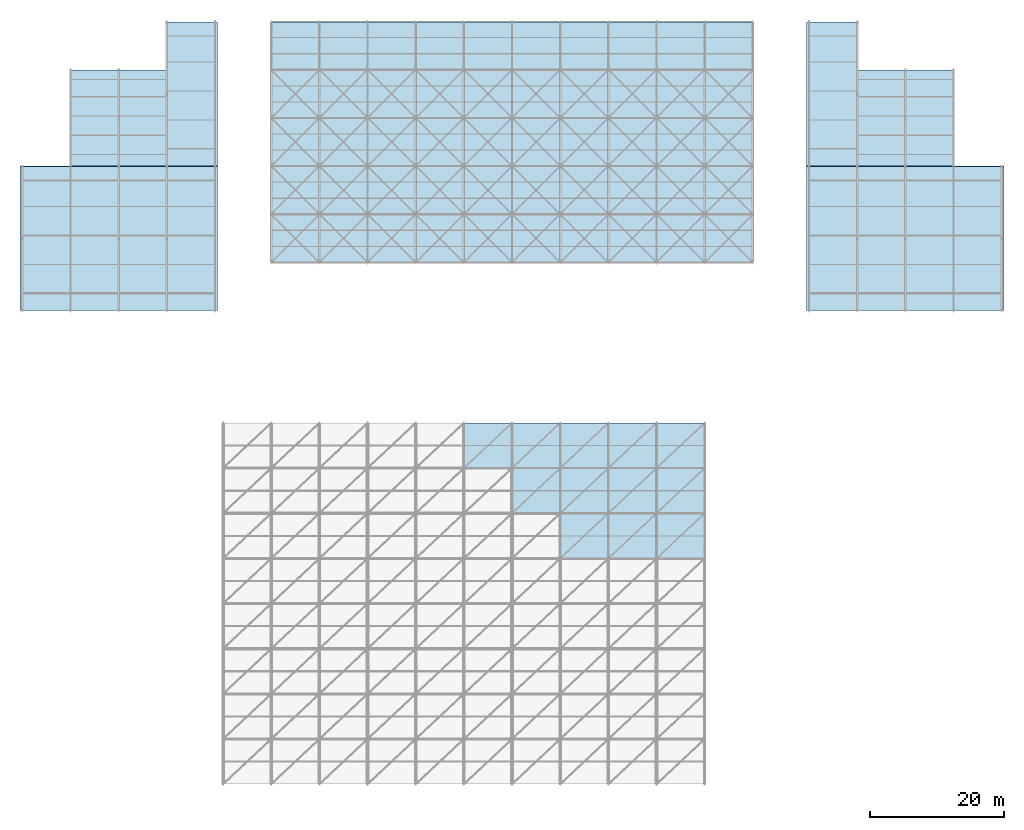
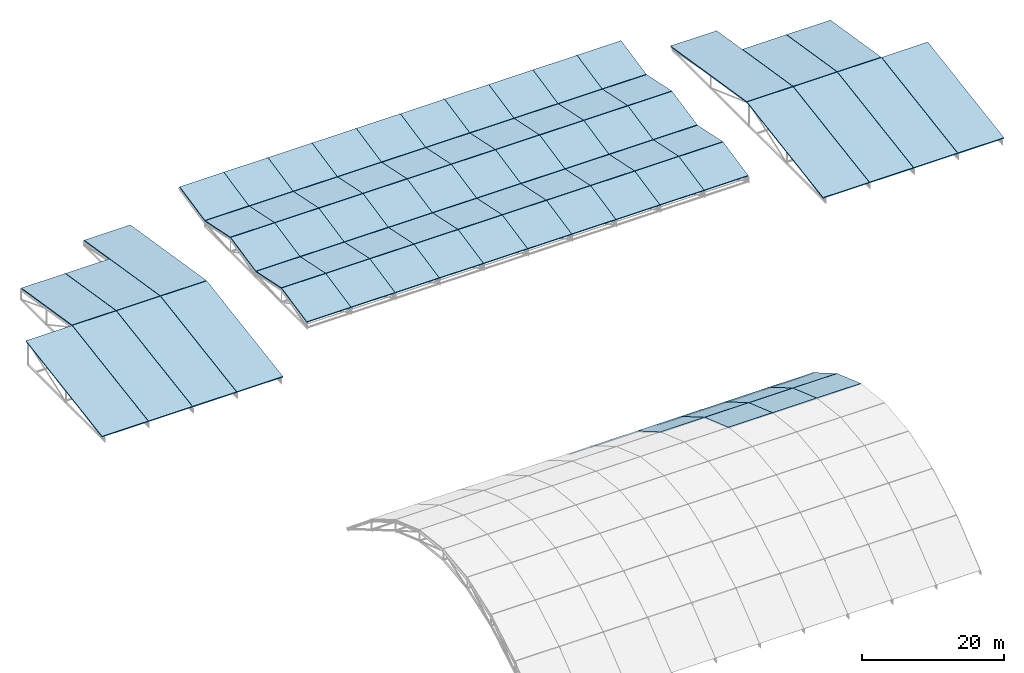
# One storey, part 58 of 72: 76 slabs.
"""IFC4 building model written with IfcOpenShell, lengths in metres."""

from ifc_helpers import new_model, si_unit, direction, frame, origin, place, context, subcontext, project, spatial, polyline, outline, extrude, material, layer, layer_set, type_object, element, save


model = new_model("IFC4")

# Units and contexts
model_context = context("Model", 3, precision=1e-05, world=origin(), true_north=direction((0.0, 1.0)))
body_context = subcontext(model_context, "Body", "Model", "MODEL_VIEW")
ifc_project = project(units=[si_unit("LENGTHUNIT", "METRE"), si_unit("AREAUNIT", "SQUARE_METRE"), si_unit("VOLUMEUNIT", "CUBIC_METRE"), si_unit("PLANEANGLEUNIT", "RADIAN"), si_unit("MASSUNIT", "GRAM", prefix="KILO")], contexts=[model_context])

# Site, building, storey
site_placement = place(None, origin())
site = spatial("IfcSite", under=ifc_project, at=site_placement, CompositionType="ELEMENT")
building_placement = place(site_placement, origin())
building = spatial("IfcBuilding", under=site, at=building_placement, Name="Vaelcorin Mobility Hub", CompositionType="ELEMENT")
storey_placement = place(building_placement, frame((0.0, 0.0, 25.800048828125)))
storey = spatial("IfcBuildingStorey", under=building, at=storey_placement, Name="RF", CompositionType="ELEMENT", Elevation=25.800048828125)

# Slabs
ifc_material = material(Name="Concrete f'c 35 MPa", Category="concrete")
ifc_layer_1 = layer(ifc_material, 0.159912109375)
ifc_layer_set_1 = layer_set([ifc_layer_1], Name="Concrete f'c 35 MPa")
slab_type_1 = type_object("IfcSlabType", Name="SLAB-RF-V1", PredefinedType="ROOF", material=ifc_layer_set_1)
slab_1_placement = place(storey_placement, frame((72.0, 53.280029296875, -13.93212890625), z_axis=(0.0, 0.632563395587, 0.774508586501), x_axis=(1.0, 0.0, 0.0)))
element("IfcSlab", 1, at=slab_1_placement, inside=storey, type_object=slab_type_1, Name="Concourse Barrel Roof Facet 6-8", PredefinedType="ROOF", context=body_context, shape_type="SweptSolid", body=[
    extrude(outline(polyline([(0.0, 0.0), (7.199951171875, 0.0), (7.199951171875, 8.637659443489156), (0.0, 8.637659443489156), (0.0, 0.0)])), origin(), (0.0, 0.0, -1.0), 0.159912109375),
])
slab_2_placement = place(storey_placement, frame((79.199951171875, 46.530029296875, -9.988037109375), z_axis=(0.0, 0.503835745222, 0.863799480109), x_axis=(1.0, 0.0, 0.0)))
element("IfcSlab", 2, at=slab_2_placement, inside=storey, type_object=slab_type_1, Name="Concourse Barrel Roof Facet 7-7", PredefinedType="ROOF", context=body_context, shape_type="SweptSolid", body=[
    extrude(outline(polyline([(0.0, 0.0), (7.199951171875, 0.0), (7.199951171875, 7.744785173298402), (0.0, 7.744785173298402), (0.0, 0.0)])), origin(), (0.0, 0.0, -1.0), 0.159912109375),
])
slab_3_placement = place(storey_placement, frame((79.199951171875, 53.280029296875, -13.93212890625), z_axis=(0.0, 0.632563395587, 0.774508586501), x_axis=(1.0, 0.0, 0.0)))
element("IfcSlab", 3, at=slab_3_placement, inside=storey, type_object=slab_type_1, Name="Concourse Barrel Roof Facet 7-8", PredefinedType="ROOF", context=body_context, shape_type="SweptSolid", body=[
    extrude(outline(polyline([(0.0, 0.0), (7.199951171875, 0.0), (7.199951171875, 8.637659443489156), (0.0, 8.637659443489156), (0.0, 0.0)])), origin(), (0.0, 0.0, -1.0), 0.159912109375),
])
slab_4_placement = place(storey_placement, frame((86.39990234375, 39.780029296875, -7.6181640625), z_axis=(0.0, 0.330390315453, 0.943844393666), x_axis=(1.0, 0.0, 0.0)))
element("IfcSlab", 4, at=slab_4_placement, inside=storey, type_object=slab_type_1, Name="Concourse Barrel Roof Facet 8-6", PredefinedType="ROOF", context=body_context, shape_type="SweptSolid", body=[
    extrude(outline(polyline([(0.0, 0.0), (7.2001953125, 0.0), (7.2001953125, 7.0879706985016515), (0.0, 7.0879706985016515), (0.0, 0.0)])), origin(), (0.0, 0.0, -1.0), 0.159912109375),
])
slab_5_placement = place(storey_placement, frame((86.39990234375, 46.530029296875, -9.988037109375), z_axis=(0.0, 0.503835745222, 0.863799480109), x_axis=(1.0, 0.0, 0.0)))
element("IfcSlab", 5, at=slab_5_placement, inside=storey, type_object=slab_type_1, Name="Concourse Barrel Roof Facet 8-7", PredefinedType="ROOF", context=body_context, shape_type="SweptSolid", body=[
    extrude(outline(polyline([(0.0, 0.0), (7.2001953125, 0.0), (7.2001953125, 7.744785173298402), (0.0, 7.744785173298402), (0.0, 0.0)])), origin(), (0.0, 0.0, -1.0), 0.159912109375),
])
slab_6_placement = place(storey_placement, frame((86.39990234375, 53.280029296875, -13.93212890625), z_axis=(0.0, 0.632563395587, 0.774508586501), x_axis=(1.0, 0.0, 0.0)))
element("IfcSlab", 6, at=slab_6_placement, inside=storey, type_object=slab_type_1, Name="Concourse Barrel Roof Facet 8-8", PredefinedType="ROOF", context=body_context, shape_type="SweptSolid", body=[
    extrude(outline(polyline([(0.0, 0.0), (7.2001953125, 0.0), (7.2001953125, 8.637659443489156), (0.0, 8.637659443489156), (0.0, 0.0)])), origin(), (0.0, 0.0, -1.0), 0.159912109375),
])
slab_7_placement = place(storey_placement, frame((93.60009765625, 39.780029296875, -7.6181640625), z_axis=(0.0, 0.330390315453, 0.943844393666), x_axis=(1.0, 0.0, 0.0)))
element("IfcSlab", 7, at=slab_7_placement, inside=storey, type_object=slab_type_1, Name="Concourse Barrel Roof Facet 9-6", PredefinedType="ROOF", context=body_context, shape_type="SweptSolid", body=[
    extrude(outline(polyline([(0.0, 0.0), (7.199951171875, 0.0), (7.199951171875, 7.087970698501653), (0.0, 7.087970698501653), (0.0, 0.0)])), origin(), (0.0, 0.0, -1.0), 0.159912109375),
])
slab_8_placement = place(storey_placement, frame((93.60009765625, 46.530029296875, -9.988037109375), z_axis=(0.0, 0.503835745222, 0.863799480109), x_axis=(1.0, 0.0, 0.0)))
element("IfcSlab", 8, at=slab_8_placement, inside=storey, type_object=slab_type_1, Name="Concourse Barrel Roof Facet 9-7", PredefinedType="ROOF", context=body_context, shape_type="SweptSolid", body=[
    extrude(outline(polyline([(0.0, 0.0), (7.199951171875, 0.0), (7.199951171875, 7.744785173298402), (0.0, 7.744785173298402), (0.0, 0.0)])), origin(), (0.0, 0.0, -1.0), 0.159912109375),
])
slab_9_placement = place(storey_placement, frame((93.60009765625, 53.280029296875, -13.93212890625), z_axis=(0.0, 0.632563395587, 0.774508586501), x_axis=(1.0, 0.0, 0.0)))
element("IfcSlab", 9, at=slab_9_placement, inside=storey, type_object=slab_type_1, Name="Concourse Barrel Roof Facet 9-8", PredefinedType="ROOF", context=body_context, shape_type="SweptSolid", body=[
    extrude(outline(polyline([(0.0, 0.0), (7.199951171875, 0.0), (7.199951171875, 8.637659443489156), (0.0, 8.637659443489156), (0.0, 0.0)])), origin(), (0.0, 0.0, -1.0), 0.159912109375),
])
slab_10_placement = place(storey_placement, frame((100.800048828125, 39.780029296875, -7.6181640625), z_axis=(0.0, 0.330390315453, 0.943844393666), x_axis=(1.0, 0.0, 0.0)))
element("IfcSlab", 10, at=slab_10_placement, inside=storey, type_object=slab_type_1, Name="Concourse Barrel Roof Facet 10-6", PredefinedType="ROOF", context=body_context, shape_type="SweptSolid", body=[
    extrude(outline(polyline([(0.0, 0.0), (7.199951171875, 0.0), (7.199951171875, 7.087970698501653), (0.0, 7.087970698501653), (0.0, 0.0)])), origin(), (0.0, 0.0, -1.0), 0.159912109375),
])
slab_11_placement = place(storey_placement, frame((100.800048828125, 46.530029296875, -9.988037109375), z_axis=(0.0, 0.503835745222, 0.863799480109), x_axis=(1.0, 0.0, 0.0)))
element("IfcSlab", 11, at=slab_11_placement, inside=storey, type_object=slab_type_1, Name="Concourse Barrel Roof Facet 10-7", PredefinedType="ROOF", context=body_context, shape_type="SweptSolid", body=[
    extrude(outline(polyline([(0.0, 0.0), (7.199951171875, 0.0), (7.199951171875, 7.744785173298402), (0.0, 7.744785173298402), (0.0, 0.0)])), origin(), (0.0, 0.0, -1.0), 0.159912109375),
])
slab_12_placement = place(storey_placement, frame((100.800048828125, 53.280029296875, -13.93212890625), z_axis=(0.0, 0.632563395587, 0.774508586501), x_axis=(1.0, 0.0, 0.0)))
element("IfcSlab", 12, at=slab_12_placement, inside=storey, type_object=slab_type_1, Name="Concourse Barrel Roof Facet 10-8", PredefinedType="ROOF", context=body_context, shape_type="SweptSolid", body=[
    extrude(outline(polyline([(0.0, 0.0), (7.199951171875, 0.0), (7.199951171875, 8.637659443489156), (0.0, 8.637659443489156), (0.0, 0.0)])), origin(), (0.0, 0.0, -1.0), 0.159912109375),
])
ifc_layer_2 = layer(ifc_material, 0.179931640625)
ifc_layer_set_2 = layer_set([ifc_layer_2], Name="Concrete f'c 35 MPa")
slab_type_2 = type_object("IfcSlabType", Name="SLAB-RF-V2", PredefinedType="ROOF", material=ifc_layer_set_2)
slab_13_placement = place(storey_placement, frame((5.64990234375, 76.840087890625, -3.38916015625), z_axis=(0.0, -0.158030259384, 0.987434269771), x_axis=(1.0, 0.0, 0.0)))
element("IfcSlab", 13, at=slab_13_placement, inside=storey, type_object=slab_type_2, Name="V2W Pitched Drum Roof Facet 1-1", PredefinedType="ROOF", context=body_context, shape_type="SweptSolid", body=[
    extrude(outline(polyline([(0.0, 0.0), (7.530029296875, 0.0), (7.530029296875, 21.793875491309095), (0.0, 21.793875491309095), (0.0, 0.0)])), origin(), (0.0, 0.0, -1.0), 0.179931640625),
])
slab_14_placement = place(storey_placement, frame((13.219970703125, 76.840087890625, -3.38916015625), z_axis=(0.0, -0.158030259384, 0.987434269771), x_axis=(1.0, 0.0, 0.0)))
element("IfcSlab", 14, at=slab_14_placement, inside=storey, type_object=slab_type_2, Name="V2W Pitched Drum Roof Facet 2-1", PredefinedType="ROOF", context=body_context, shape_type="SweptSolid", body=[
    extrude(outline(polyline([(0.0, 0.0), (7.159912109375, 0.0), (7.159912109375, 21.793875491309095), (0.0, 21.793875491309095), (0.0, 0.0)])), origin(), (0.0, 0.0, -1.0), 0.179931640625),
])
slab_15_placement = place(storey_placement, frame((13.219970703125, 98.43994140625, 0.054931640625), z_axis=(0.0, 0.15804302687, 0.987432226362), x_axis=(1.0, 0.0, 0.0)))
element("IfcSlab", 15, at=slab_15_placement, inside=storey, type_object=slab_type_2, Name="V2W Pitched Drum Roof Facet 2-2", PredefinedType="ROOF", context=body_context, shape_type="SweptSolid", body=[
    extrude(outline(polyline([(0.0, 0.0), (7.159912109375, 0.0), (7.159912109375, 14.502330364625337), (0.0, 14.502330364625337), (0.0, 0.0)])), origin(), (0.0, 0.0, -1.0), 0.179931640625),
])
slab_16_placement = place(storey_placement, frame((20.419921875, 76.840087890625, -3.38916015625), z_axis=(0.0, -0.158030259384, 0.987434269771), x_axis=(1.0, 0.0, 0.0)))
element("IfcSlab", 16, at=slab_16_placement, inside=storey, type_object=slab_type_2, Name="V2W Pitched Drum Roof Facet 3-1", PredefinedType="ROOF", context=body_context, shape_type="SweptSolid", body=[
    extrude(outline(polyline([(0.0, 0.0), (7.16015625, 0.0), (7.16015625, 21.793875491309095), (0.0, 21.793875491309095), (0.0, 0.0)])), origin(), (0.0, 0.0, -1.0), 0.179931640625),
])
slab_17_placement = place(storey_placement, frame((20.419921875, 98.43994140625, 0.054931640625), z_axis=(0.0, 0.15804302687, 0.987432226362), x_axis=(1.0, 0.0, 0.0)))
element("IfcSlab", 17, at=slab_17_placement, inside=storey, type_object=slab_type_2, Name="V2W Pitched Drum Roof Facet 3-2", PredefinedType="ROOF", context=body_context, shape_type="SweptSolid", body=[
    extrude(outline(polyline([(0.0, 0.0), (7.16015625, 0.0), (7.16015625, 14.502330364625339), (0.0, 14.502330364625339), (0.0, 0.0)])), origin(), (0.0, 0.0, -1.0), 0.179931640625),
])
for number, where, z_axis, x_axis, name in (
    (18, (27.6201171875, 76.840087890625, -3.38916015625), (0.0, -0.158030259384, 0.987434269771), (1.0, 0.0, 0.0), "V2W Pitched Drum Roof Facet 4-1"),
    (19, (27.6201171875, 98.43994140625, 0.054931640625), (0.0, 0.158030259384, 0.987434269771), (1.0, 0.0, 0.0), "V2W Pitched Drum Roof Facet 4-2"),
):
    element("IfcSlab", number, at=place(storey_placement, frame(where, z_axis=z_axis, x_axis=x_axis)), inside=storey, type_object=slab_type_2, Name=name, PredefinedType="ROOF", context=body_context, shape_type="SweptSolid", body=[
        extrude(outline(polyline([(0.0, 0.0), (7.52978515625, 0.0), (7.52978515625, 21.793875491309095), (0.0, 21.793875491309095), (0.0, 0.0)])), origin(), (0.0, 0.0, -1.0), 0.179931640625),
    ])
for number, where, z_axis, x_axis, name in (
    (20, (123.25, 76.840087890625, -3.38916015625), (0.0, -0.158030259384, 0.987434269771), (1.0, 0.0, 0.0), "V2E Pitched Drum Roof Facet 1-1"),
    (21, (123.25, 98.43994140625, 0.054931640625), (0.0, 0.158030259384, 0.987434269771), (1.0, 0.0, 0.0), "V2E Pitched Drum Roof Facet 1-2"),
):
    element("IfcSlab", number, at=place(storey_placement, frame(where, z_axis=z_axis, x_axis=x_axis)), inside=storey, type_object=slab_type_2, Name=name, PredefinedType="ROOF", context=body_context, shape_type="SweptSolid", body=[
        extrude(outline(polyline([(0.0, 0.0), (7.530029296875, 0.0), (7.530029296875, 21.793875491309095), (0.0, 21.793875491309095), (0.0, 0.0)])), origin(), (0.0, 0.0, -1.0), 0.179931640625),
    ])
slab_18_placement = place(storey_placement, frame((130.820068359375, 76.840087890625, -3.38916015625), z_axis=(0.0, -0.158030259384, 0.987434269771), x_axis=(1.0, 0.0, 0.0)))
element("IfcSlab", 22, at=slab_18_placement, inside=storey, type_object=slab_type_2, Name="V2E Pitched Drum Roof Facet 2-1", PredefinedType="ROOF", context=body_context, shape_type="SweptSolid", body=[
    extrude(outline(polyline([(0.0, 0.0), (7.159912109375, 0.0), (7.159912109375, 21.793875491309095), (0.0, 21.793875491309095), (0.0, 0.0)])), origin(), (0.0, 0.0, -1.0), 0.179931640625),
])
slab_19_placement = place(storey_placement, frame((130.820068359375, 98.43994140625, 0.054931640625), z_axis=(0.0, 0.15804302687, 0.987432226362), x_axis=(1.0, 0.0, 0.0)))
element("IfcSlab", 23, at=slab_19_placement, inside=storey, type_object=slab_type_2, Name="V2E Pitched Drum Roof Facet 2-2", PredefinedType="ROOF", context=body_context, shape_type="SweptSolid", body=[
    extrude(outline(polyline([(0.0, 0.0), (7.159912109375, 0.0), (7.159912109375, 14.502330364625337), (0.0, 14.502330364625337), (0.0, 0.0)])), origin(), (0.0, 0.0, -1.0), 0.179931640625),
])
slab_20_placement = place(storey_placement, frame((138.02001953125, 76.840087890625, -3.38916015625), z_axis=(0.0, -0.158030259384, 0.987434269771), x_axis=(1.0, 0.0, 0.0)))
element("IfcSlab", 24, at=slab_20_placement, inside=storey, type_object=slab_type_2, Name="V2E Pitched Drum Roof Facet 3-1", PredefinedType="ROOF", context=body_context, shape_type="SweptSolid", body=[
    extrude(outline(polyline([(0.0, 0.0), (7.159912109375, 0.0), (7.159912109375, 21.793875491309095), (0.0, 21.793875491309095), (0.0, 0.0)])), origin(), (0.0, 0.0, -1.0), 0.179931640625),
])
slab_21_placement = place(storey_placement, frame((138.02001953125, 98.43994140625, 0.054931640625), z_axis=(0.0, 0.15804302687, 0.987432226362), x_axis=(1.0, 0.0, 0.0)))
element("IfcSlab", 25, at=slab_21_placement, inside=storey, type_object=slab_type_2, Name="V2E Pitched Drum Roof Facet 3-2", PredefinedType="ROOF", context=body_context, shape_type="SweptSolid", body=[
    extrude(outline(polyline([(0.0, 0.0), (7.159912109375, 0.0), (7.159912109375, 14.502330364625337), (0.0, 14.502330364625337), (0.0, 0.0)])), origin(), (0.0, 0.0, -1.0), 0.179931640625),
])
slab_22_placement = place(storey_placement, frame((145.219970703125, 76.840087890625, -3.38916015625), z_axis=(0.0, -0.158030259384, 0.987434269771), x_axis=(1.0, 0.0, 0.0)))
element("IfcSlab", 26, at=slab_22_placement, inside=storey, type_object=slab_type_2, Name="V2E Pitched Drum Roof Facet 4-1", PredefinedType="ROOF", context=body_context, shape_type="SweptSolid", body=[
    extrude(outline(polyline([(0.0, 0.0), (7.530029296875, 0.0), (7.530029296875, 21.793875491309095), (0.0, 21.793875491309095), (0.0, 0.0)])), origin(), (0.0, 0.0, -1.0), 0.179931640625),
])
ifc_layer_3 = layer(ifc_material, 0.179931640625)
ifc_layer_set_3 = layer_set([ifc_layer_3], Name="Concrete f'c 35 MPa")
slab_type_3 = type_object("IfcSlabType", Name="SLAB-RF-V3", PredefinedType="ROOF", material=ifc_layer_set_3)
slab_23_placement = place(storey_placement, frame((43.199951171875, 84.0400390625, -1.132080078125), z_axis=(0.0, -0.204062833788, 0.978957792689), x_axis=(1.0, 0.0, 0.0)))
element("IfcSlab", 27, at=slab_23_placement, inside=storey, type_object=slab_type_3, Name="Sports Pavilion Folded Roof Facet 2-1", PredefinedType="ROOF", context=body_context, shape_type="SweptSolid", body=[
    extrude(outline(polyline([(0.0, 0.0), (7.199951171875, 0.0), (7.199951171875, 7.272911151070545), (0.0, 7.272911151070545), (0.0, 0.0)])), origin(), (0.0, 0.0, -1.0), 0.179931640625),
])
for number, where, z_axis, x_axis, name in (
    (28, (43.199951171875, 91.239990234375, 0.35205078125), (0.0, 0.204056128064, 0.978959190467), (1.0, 0.0, 0.0), "Sports Pavilion Folded Roof Facet 2-2"),
    (29, (43.199951171875, 98.43994140625, -1.132080078125), (0.0, -0.204056128064, 0.978959190467), (1.0, 0.0, 0.0), "Sports Pavilion Folded Roof Facet 2-3"),
    (30, (43.199951171875, 105.639892578125, 0.35205078125), (0.0, 0.204056128064, 0.978959190467), (1.0, 0.0, 0.0), "Sports Pavilion Folded Roof Facet 2-4"),
):
    element("IfcSlab", number, at=place(storey_placement, frame(where, z_axis=z_axis, x_axis=x_axis)), inside=storey, type_object=slab_type_3, Name=name, PredefinedType="ROOF", context=body_context, shape_type="SweptSolid", body=[
        extrude(outline(polyline([(0.0, 0.0), (7.199951171875, 0.0), (7.199951171875, 7.2731501546085315), (0.0, 7.2731501546085315), (0.0, 0.0)])), origin(), (0.0, 0.0, -1.0), 0.179931640625),
    ])
slab_24_placement = place(storey_placement, frame((43.199951171875, 112.840087890625, -1.132080078125), z_axis=(0.0, -0.204062833788, 0.978957792689), x_axis=(1.0, 0.0, 0.0)))
element("IfcSlab", 31, at=slab_24_placement, inside=storey, type_object=slab_type_3, Name="Sports Pavilion Folded Roof Facet 2-5", PredefinedType="ROOF", context=body_context, shape_type="SweptSolid", body=[
    extrude(outline(polyline([(0.0, 0.0), (7.199951171875, 0.0), (7.199951171875, 7.272911151070545), (0.0, 7.272911151070545), (0.0, 0.0)])), origin(), (0.0, 0.0, -1.0), 0.179931640625),
])
slab_25_placement = place(storey_placement, frame((50.39990234375, 84.0400390625, -1.132080078125), z_axis=(0.0, -0.204062833788, 0.978957792689), x_axis=(1.0, 0.0, 0.0)))
element("IfcSlab", 32, at=slab_25_placement, inside=storey, type_object=slab_type_3, Name="Sports Pavilion Folded Roof Facet 3-1", PredefinedType="ROOF", context=body_context, shape_type="SweptSolid", body=[
    extrude(outline(polyline([(0.0, 0.0), (7.2001953125, 0.0), (7.2001953125, 7.272911151070544), (0.0, 7.272911151070544), (0.0, 0.0)])), origin(), (0.0, 0.0, -1.0), 0.179931640625),
])
for number, where, z_axis, x_axis, name in (
    (33, (50.39990234375, 91.239990234375, 0.35205078125), (0.0, 0.204056128064, 0.978959190467), (1.0, 0.0, 0.0), "Sports Pavilion Folded Roof Facet 3-2"),
    (34, (50.39990234375, 98.43994140625, -1.132080078125), (0.0, -0.204056128064, 0.978959190467), (1.0, 0.0, 0.0), "Sports Pavilion Folded Roof Facet 3-3"),
    (35, (50.39990234375, 105.639892578125, 0.35205078125), (0.0, 0.204056128064, 0.978959190467), (1.0, 0.0, 0.0), "Sports Pavilion Folded Roof Facet 3-4"),
):
    element("IfcSlab", number, at=place(storey_placement, frame(where, z_axis=z_axis, x_axis=x_axis)), inside=storey, type_object=slab_type_3, Name=name, PredefinedType="ROOF", context=body_context, shape_type="SweptSolid", body=[
        extrude(outline(polyline([(0.0, 0.0), (7.2001953125, 0.0), (7.2001953125, 7.273150154608531), (0.0, 7.273150154608531), (0.0, 0.0)])), origin(), (0.0, 0.0, -1.0), 0.179931640625),
    ])
slab_26_placement = place(storey_placement, frame((50.39990234375, 112.840087890625, -1.132080078125), z_axis=(0.0, -0.204062833788, 0.978957792689), x_axis=(1.0, 0.0, 0.0)))
element("IfcSlab", 36, at=slab_26_placement, inside=storey, type_object=slab_type_3, Name="Sports Pavilion Folded Roof Facet 3-5", PredefinedType="ROOF", context=body_context, shape_type="SweptSolid", body=[
    extrude(outline(polyline([(0.0, 0.0), (7.2001953125, 0.0), (7.2001953125, 7.272911151070544), (0.0, 7.272911151070544), (0.0, 0.0)])), origin(), (0.0, 0.0, -1.0), 0.179931640625),
])
slab_27_placement = place(storey_placement, frame((57.60009765625, 84.0400390625, -1.132080078125), z_axis=(0.0, -0.204062833788, 0.978957792689), x_axis=(1.0, 0.0, 0.0)))
element("IfcSlab", 37, at=slab_27_placement, inside=storey, type_object=slab_type_3, Name="Sports Pavilion Folded Roof Facet 4-1", PredefinedType="ROOF", context=body_context, shape_type="SweptSolid", body=[
    extrude(outline(polyline([(0.0, 0.0), (7.199951171875, 0.0), (7.199951171875, 7.272911151070545), (0.0, 7.272911151070545), (0.0, 0.0)])), origin(), (0.0, 0.0, -1.0), 0.179931640625),
])
for number, where, z_axis, x_axis, name in (
    (38, (57.60009765625, 91.239990234375, 0.35205078125), (0.0, 0.204056128064, 0.978959190467), (1.0, 0.0, 0.0), "Sports Pavilion Folded Roof Facet 4-2"),
    (39, (57.60009765625, 98.43994140625, -1.132080078125), (0.0, -0.204056128064, 0.978959190467), (1.0, 0.0, 0.0), "Sports Pavilion Folded Roof Facet 4-3"),
    (40, (57.60009765625, 105.639892578125, 0.35205078125), (0.0, 0.204056128064, 0.978959190467), (1.0, 0.0, 0.0), "Sports Pavilion Folded Roof Facet 4-4"),
):
    element("IfcSlab", number, at=place(storey_placement, frame(where, z_axis=z_axis, x_axis=x_axis)), inside=storey, type_object=slab_type_3, Name=name, PredefinedType="ROOF", context=body_context, shape_type="SweptSolid", body=[
        extrude(outline(polyline([(0.0, 0.0), (7.199951171875, 0.0), (7.199951171875, 7.2731501546085315), (0.0, 7.2731501546085315), (0.0, 0.0)])), origin(), (0.0, 0.0, -1.0), 0.179931640625),
    ])
for number, where, z_axis, x_axis, name in (
    (41, (57.60009765625, 112.840087890625, -1.132080078125), (0.0, -0.204062833788, 0.978957792689), (1.0, 0.0, 0.0), "Sports Pavilion Folded Roof Facet 4-5"),
    (42, (64.800048828125, 84.0400390625, -1.132080078125), (0.0, -0.204062833788, 0.978957792689), (1.0, 0.0, 0.0), "Sports Pavilion Folded Roof Facet 5-1"),
):
    element("IfcSlab", number, at=place(storey_placement, frame(where, z_axis=z_axis, x_axis=x_axis)), inside=storey, type_object=slab_type_3, Name=name, PredefinedType="ROOF", context=body_context, shape_type="SweptSolid", body=[
        extrude(outline(polyline([(0.0, 0.0), (7.199951171875, 0.0), (7.199951171875, 7.272911151070545), (0.0, 7.272911151070545), (0.0, 0.0)])), origin(), (0.0, 0.0, -1.0), 0.179931640625),
    ])
for number, where, z_axis, x_axis, name in (
    (43, (64.800048828125, 91.239990234375, 0.35205078125), (0.0, 0.204056128064, 0.978959190467), (1.0, 0.0, 0.0), "Sports Pavilion Folded Roof Facet 5-2"),
    (44, (64.800048828125, 98.43994140625, -1.132080078125), (0.0, -0.204056128064, 0.978959190467), (1.0, 0.0, 0.0), "Sports Pavilion Folded Roof Facet 5-3"),
    (45, (64.800048828125, 105.639892578125, 0.35205078125), (0.0, 0.204056128064, 0.978959190467), (1.0, 0.0, 0.0), "Sports Pavilion Folded Roof Facet 5-4"),
):
    element("IfcSlab", number, at=place(storey_placement, frame(where, z_axis=z_axis, x_axis=x_axis)), inside=storey, type_object=slab_type_3, Name=name, PredefinedType="ROOF", context=body_context, shape_type="SweptSolid", body=[
        extrude(outline(polyline([(0.0, 0.0), (7.199951171875, 0.0), (7.199951171875, 7.2731501546085315), (0.0, 7.2731501546085315), (0.0, 0.0)])), origin(), (0.0, 0.0, -1.0), 0.179931640625),
    ])
for number, where, z_axis, x_axis, name in (
    (46, (64.800048828125, 112.840087890625, -1.132080078125), (0.0, -0.204062833788, 0.978957792689), (1.0, 0.0, 0.0), "Sports Pavilion Folded Roof Facet 5-5"),
    (47, (72.0, 84.0400390625, -1.132080078125), (0.0, -0.204062833788, 0.978957792689), (1.0, 0.0, 0.0), "Sports Pavilion Folded Roof Facet 6-1"),
):
    element("IfcSlab", number, at=place(storey_placement, frame(where, z_axis=z_axis, x_axis=x_axis)), inside=storey, type_object=slab_type_3, Name=name, PredefinedType="ROOF", context=body_context, shape_type="SweptSolid", body=[
        extrude(outline(polyline([(0.0, 0.0), (7.199951171875, 0.0), (7.199951171875, 7.272911151070545), (0.0, 7.272911151070545), (0.0, 0.0)])), origin(), (0.0, 0.0, -1.0), 0.179931640625),
    ])
for number, where, z_axis, x_axis, name in (
    (48, (72.0, 91.239990234375, 0.35205078125), (0.0, 0.204056128064, 0.978959190467), (1.0, 0.0, 0.0), "Sports Pavilion Folded Roof Facet 6-2"),
    (49, (72.0, 98.43994140625, -1.132080078125), (0.0, -0.204056128064, 0.978959190467), (1.0, 0.0, 0.0), "Sports Pavilion Folded Roof Facet 6-3"),
    (50, (72.0, 105.639892578125, 0.35205078125), (0.0, 0.204056128064, 0.978959190467), (1.0, 0.0, 0.0), "Sports Pavilion Folded Roof Facet 6-4"),
):
    element("IfcSlab", number, at=place(storey_placement, frame(where, z_axis=z_axis, x_axis=x_axis)), inside=storey, type_object=slab_type_3, Name=name, PredefinedType="ROOF", context=body_context, shape_type="SweptSolid", body=[
        extrude(outline(polyline([(0.0, 0.0), (7.199951171875, 0.0), (7.199951171875, 7.2731501546085315), (0.0, 7.2731501546085315), (0.0, 0.0)])), origin(), (0.0, 0.0, -1.0), 0.179931640625),
    ])
for number, where, z_axis, x_axis, name in (
    (51, (72.0, 112.840087890625, -1.132080078125), (0.0, -0.204062833788, 0.978957792689), (1.0, 0.0, 0.0), "Sports Pavilion Folded Roof Facet 6-5"),
    (52, (79.199951171875, 84.0400390625, -1.132080078125), (0.0, -0.204062833788, 0.978957792689), (1.0, 0.0, 0.0), "Sports Pavilion Folded Roof Facet 7-1"),
):
    element("IfcSlab", number, at=place(storey_placement, frame(where, z_axis=z_axis, x_axis=x_axis)), inside=storey, type_object=slab_type_3, Name=name, PredefinedType="ROOF", context=body_context, shape_type="SweptSolid", body=[
        extrude(outline(polyline([(0.0, 0.0), (7.199951171875, 0.0), (7.199951171875, 7.272911151070545), (0.0, 7.272911151070545), (0.0, 0.0)])), origin(), (0.0, 0.0, -1.0), 0.179931640625),
    ])
for number, where, z_axis, x_axis, name in (
    (53, (79.199951171875, 91.239990234375, 0.35205078125), (0.0, 0.204056128064, 0.978959190467), (1.0, 0.0, 0.0), "Sports Pavilion Folded Roof Facet 7-2"),
    (54, (79.199951171875, 98.43994140625, -1.132080078125), (0.0, -0.204056128064, 0.978959190467), (1.0, 0.0, 0.0), "Sports Pavilion Folded Roof Facet 7-3"),
    (55, (79.199951171875, 105.639892578125, 0.35205078125), (0.0, 0.204056128064, 0.978959190467), (1.0, 0.0, 0.0), "Sports Pavilion Folded Roof Facet 7-4"),
):
    element("IfcSlab", number, at=place(storey_placement, frame(where, z_axis=z_axis, x_axis=x_axis)), inside=storey, type_object=slab_type_3, Name=name, PredefinedType="ROOF", context=body_context, shape_type="SweptSolid", body=[
        extrude(outline(polyline([(0.0, 0.0), (7.199951171875, 0.0), (7.199951171875, 7.2731501546085315), (0.0, 7.2731501546085315), (0.0, 0.0)])), origin(), (0.0, 0.0, -1.0), 0.179931640625),
    ])
slab_28_placement = place(storey_placement, frame((79.199951171875, 112.840087890625, -1.132080078125), z_axis=(0.0, -0.204062833788, 0.978957792689), x_axis=(1.0, 0.0, 0.0)))
element("IfcSlab", 56, at=slab_28_placement, inside=storey, type_object=slab_type_3, Name="Sports Pavilion Folded Roof Facet 7-5", PredefinedType="ROOF", context=body_context, shape_type="SweptSolid", body=[
    extrude(outline(polyline([(0.0, 0.0), (7.199951171875, 0.0), (7.199951171875, 7.272911151070545), (0.0, 7.272911151070545), (0.0, 0.0)])), origin(), (0.0, 0.0, -1.0), 0.179931640625),
])
slab_29_placement = place(storey_placement, frame((86.39990234375, 84.0400390625, -1.132080078125), z_axis=(0.0, -0.204062833788, 0.978957792689), x_axis=(1.0, 0.0, 0.0)))
element("IfcSlab", 57, at=slab_29_placement, inside=storey, type_object=slab_type_3, Name="Sports Pavilion Folded Roof Facet 8-1", PredefinedType="ROOF", context=body_context, shape_type="SweptSolid", body=[
    extrude(outline(polyline([(0.0, 0.0), (7.2001953125, 0.0), (7.2001953125, 7.272911151070544), (0.0, 7.272911151070544), (0.0, 0.0)])), origin(), (0.0, 0.0, -1.0), 0.179931640625),
])
for number, where, z_axis, x_axis, name in (
    (58, (86.39990234375, 91.239990234375, 0.35205078125), (0.0, 0.204056128064, 0.978959190467), (1.0, 0.0, 0.0), "Sports Pavilion Folded Roof Facet 8-2"),
    (59, (86.39990234375, 98.43994140625, -1.132080078125), (0.0, -0.204056128064, 0.978959190467), (1.0, 0.0, 0.0), "Sports Pavilion Folded Roof Facet 8-3"),
    (60, (86.39990234375, 105.639892578125, 0.35205078125), (0.0, 0.204056128064, 0.978959190467), (1.0, 0.0, 0.0), "Sports Pavilion Folded Roof Facet 8-4"),
):
    element("IfcSlab", number, at=place(storey_placement, frame(where, z_axis=z_axis, x_axis=x_axis)), inside=storey, type_object=slab_type_3, Name=name, PredefinedType="ROOF", context=body_context, shape_type="SweptSolid", body=[
        extrude(outline(polyline([(0.0, 0.0), (7.2001953125, 0.0), (7.2001953125, 7.273150154608531), (0.0, 7.273150154608531), (0.0, 0.0)])), origin(), (0.0, 0.0, -1.0), 0.179931640625),
    ])
slab_30_placement = place(storey_placement, frame((86.39990234375, 112.840087890625, -1.132080078125), z_axis=(0.0, -0.204062833788, 0.978957792689), x_axis=(1.0, 0.0, 0.0)))
element("IfcSlab", 61, at=slab_30_placement, inside=storey, type_object=slab_type_3, Name="Sports Pavilion Folded Roof Facet 8-5", PredefinedType="ROOF", context=body_context, shape_type="SweptSolid", body=[
    extrude(outline(polyline([(0.0, 0.0), (7.2001953125, 0.0), (7.2001953125, 7.272911151070544), (0.0, 7.272911151070544), (0.0, 0.0)])), origin(), (0.0, 0.0, -1.0), 0.179931640625),
])
slab_31_placement = place(storey_placement, frame((93.60009765625, 84.0400390625, -1.132080078125), z_axis=(0.0, -0.204062833788, 0.978957792689), x_axis=(1.0, 0.0, 0.0)))
element("IfcSlab", 62, at=slab_31_placement, inside=storey, type_object=slab_type_3, Name="Sports Pavilion Folded Roof Facet 9-1", PredefinedType="ROOF", context=body_context, shape_type="SweptSolid", body=[
    extrude(outline(polyline([(0.0, 0.0), (7.199951171875, 0.0), (7.199951171875, 7.272911151070545), (0.0, 7.272911151070545), (0.0, 0.0)])), origin(), (0.0, 0.0, -1.0), 0.179931640625),
])
for number, where, z_axis, x_axis, name in (
    (63, (93.60009765625, 91.239990234375, 0.35205078125), (0.0, 0.204056128064, 0.978959190467), (1.0, 0.0, 0.0), "Sports Pavilion Folded Roof Facet 9-2"),
    (64, (93.60009765625, 98.43994140625, -1.132080078125), (0.0, -0.204056128064, 0.978959190467), (1.0, 0.0, 0.0), "Sports Pavilion Folded Roof Facet 9-3"),
    (65, (93.60009765625, 105.639892578125, 0.35205078125), (0.0, 0.204056128064, 0.978959190467), (1.0, 0.0, 0.0), "Sports Pavilion Folded Roof Facet 9-4"),
):
    element("IfcSlab", number, at=place(storey_placement, frame(where, z_axis=z_axis, x_axis=x_axis)), inside=storey, type_object=slab_type_3, Name=name, PredefinedType="ROOF", context=body_context, shape_type="SweptSolid", body=[
        extrude(outline(polyline([(0.0, 0.0), (7.199951171875, 0.0), (7.199951171875, 7.2731501546085315), (0.0, 7.2731501546085315), (0.0, 0.0)])), origin(), (0.0, 0.0, -1.0), 0.179931640625),
    ])
for number, where, z_axis, x_axis, name in (
    (66, (93.60009765625, 112.840087890625, -1.132080078125), (0.0, -0.204062833788, 0.978957792689), (1.0, 0.0, 0.0), "Sports Pavilion Folded Roof Facet 9-5"),
    (67, (100.800048828125, 84.0400390625, -1.132080078125), (0.0, -0.204062833788, 0.978957792689), (1.0, 0.0, 0.0), "Sports Pavilion Folded Roof Facet 10-1"),
):
    element("IfcSlab", number, at=place(storey_placement, frame(where, z_axis=z_axis, x_axis=x_axis)), inside=storey, type_object=slab_type_3, Name=name, PredefinedType="ROOF", context=body_context, shape_type="SweptSolid", body=[
        extrude(outline(polyline([(0.0, 0.0), (7.199951171875, 0.0), (7.199951171875, 7.272911151070545), (0.0, 7.272911151070545), (0.0, 0.0)])), origin(), (0.0, 0.0, -1.0), 0.179931640625),
    ])
for number, where, z_axis, x_axis, name in (
    (68, (100.800048828125, 91.239990234375, 0.35205078125), (0.0, 0.204056128064, 0.978959190467), (1.0, 0.0, 0.0), "Sports Pavilion Folded Roof Facet 10-2"),
    (69, (100.800048828125, 98.43994140625, -1.132080078125), (0.0, -0.204056128064, 0.978959190467), (1.0, 0.0, 0.0), "Sports Pavilion Folded Roof Facet 10-3"),
    (70, (100.800048828125, 105.639892578125, 0.35205078125), (0.0, 0.204056128064, 0.978959190467), (1.0, 0.0, 0.0), "Sports Pavilion Folded Roof Facet 10-4"),
):
    element("IfcSlab", number, at=place(storey_placement, frame(where, z_axis=z_axis, x_axis=x_axis)), inside=storey, type_object=slab_type_3, Name=name, PredefinedType="ROOF", context=body_context, shape_type="SweptSolid", body=[
        extrude(outline(polyline([(0.0, 0.0), (7.199951171875, 0.0), (7.199951171875, 7.2731501546085315), (0.0, 7.2731501546085315), (0.0, 0.0)])), origin(), (0.0, 0.0, -1.0), 0.179931640625),
    ])
for number, where, z_axis, x_axis, name in (
    (71, (100.800048828125, 112.840087890625, -1.132080078125), (0.0, -0.204062833788, 0.978957792689), (1.0, 0.0, 0.0), "Sports Pavilion Folded Roof Facet 10-5"),
    (72, (108.0, 84.0400390625, -1.132080078125), (0.0, -0.204062833788, 0.978957792689), (1.0, 0.0, 0.0), "Sports Pavilion Folded Roof Facet 11-1"),
):
    element("IfcSlab", number, at=place(storey_placement, frame(where, z_axis=z_axis, x_axis=x_axis)), inside=storey, type_object=slab_type_3, Name=name, PredefinedType="ROOF", context=body_context, shape_type="SweptSolid", body=[
        extrude(outline(polyline([(0.0, 0.0), (7.199951171875, 0.0), (7.199951171875, 7.272911151070545), (0.0, 7.272911151070545), (0.0, 0.0)])), origin(), (0.0, 0.0, -1.0), 0.179931640625),
    ])
for number, where, z_axis, x_axis, name in (
    (73, (108.0, 91.239990234375, 0.35205078125), (0.0, 0.204056128064, 0.978959190467), (1.0, 0.0, 0.0), "Sports Pavilion Folded Roof Facet 11-2"),
    (74, (108.0, 98.43994140625, -1.132080078125), (0.0, -0.204056128064, 0.978959190467), (1.0, 0.0, 0.0), "Sports Pavilion Folded Roof Facet 11-3"),
    (75, (108.0, 105.639892578125, 0.35205078125), (0.0, 0.204056128064, 0.978959190467), (1.0, 0.0, 0.0), "Sports Pavilion Folded Roof Facet 11-4"),
):
    element("IfcSlab", number, at=place(storey_placement, frame(where, z_axis=z_axis, x_axis=x_axis)), inside=storey, type_object=slab_type_3, Name=name, PredefinedType="ROOF", context=body_context, shape_type="SweptSolid", body=[
        extrude(outline(polyline([(0.0, 0.0), (7.199951171875, 0.0), (7.199951171875, 7.2731501546085315), (0.0, 7.2731501546085315), (0.0, 0.0)])), origin(), (0.0, 0.0, -1.0), 0.179931640625),
    ])
slab_32_placement = place(storey_placement, frame((108.0, 112.840087890625, -1.132080078125), z_axis=(0.0, -0.204062833788, 0.978957792689), x_axis=(1.0, 0.0, 0.0)))
element("IfcSlab", 76, at=slab_32_placement, inside=storey, type_object=slab_type_3, Name="Sports Pavilion Folded Roof Facet 11-5", PredefinedType="ROOF", context=body_context, shape_type="SweptSolid", body=[
    extrude(outline(polyline([(0.0, 0.0), (7.199951171875, 0.0), (7.199951171875, 7.272911151070545), (0.0, 7.272911151070545), (0.0, 0.0)])), origin(), (0.0, 0.0, -1.0), 0.179931640625),
])

save(model, "model.ifc")
